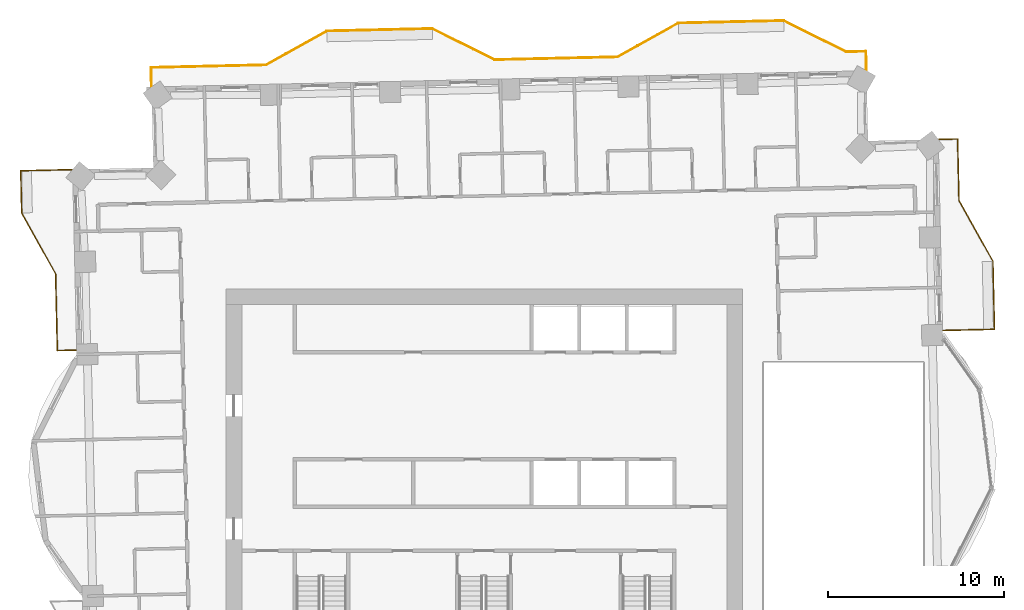
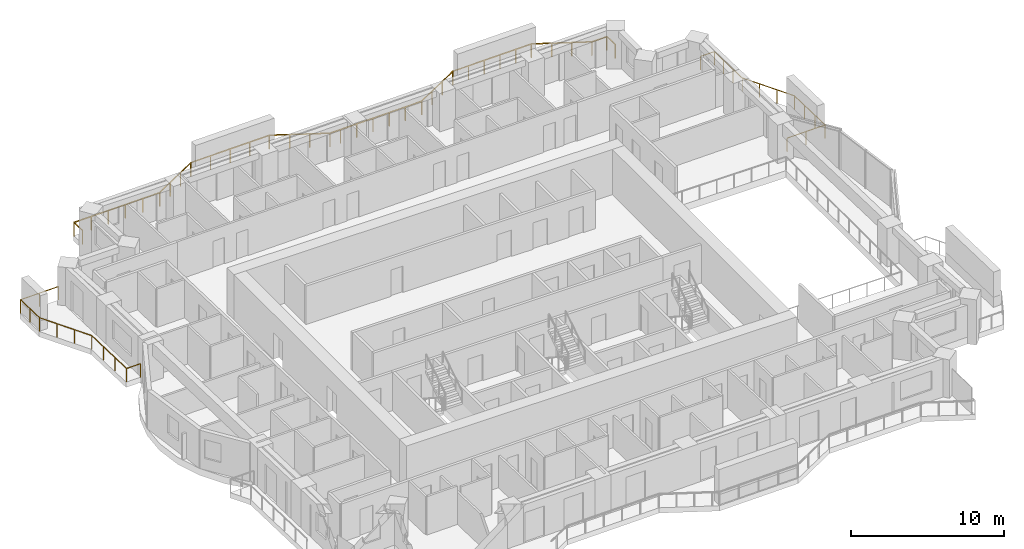
# One storey, part 16 of 16: 3 railings.
"""IFC4 building model written with IfcOpenShell, lengths in metres."""

from ifc_helpers import new_model, si_unit, direction, frame, origin, origin_2d, place, context, subcontext, project, spatial, rectangle, extrude, material, type_object, element, save


model = new_model("IFC4")

# Units and contexts
model_context = context("Model", 3, precision=1e-05, world=origin(), true_north=direction((0.0, 1.0)))
body_context = subcontext(model_context, "Body", "Model", "MODEL_VIEW")
ifc_project = project(units=[si_unit("LENGTHUNIT", "METRE"), si_unit("AREAUNIT", "SQUARE_METRE"), si_unit("VOLUMEUNIT", "CUBIC_METRE"), si_unit("PLANEANGLEUNIT", "RADIAN"), si_unit("MASSUNIT", "GRAM", prefix="KILO")], contexts=[model_context])

# Site, building, storey
site_placement = place(None, origin())
site = spatial("IfcSite", under=ifc_project, at=site_placement, CompositionType="ELEMENT")
building_placement = place(site_placement, origin())
building = spatial("IfcBuilding", under=site, at=building_placement, Name="Mangrove Gate Tower", CompositionType="ELEMENT")
storey_placement = place(building_placement, frame((0.0, 0.0, 189.699951171875)))
storey = spatial("IfcBuildingStorey", under=building, at=storey_placement, Name="L48", CompositionType="ELEMENT", Elevation=189.699951171875)

# Railings
ifc_material = material(Name="Stainless steel grade 316 with laminated glass infill", Category="steel")
railing_type = type_object("IfcRailingType", Name="Balcony guard 1100", PredefinedType="GUARDRAIL", material=ifc_material)
railing_1_placement = place(storey_placement, frame((26.112060546875, 9.333984375, 0.0)))
element("IfcRailing", 1, at=railing_1_placement, inside=storey, type_object=railing_type, Name="GUARD L48 E2", PredefinedType="GUARDRAIL", context=body_context, shape_type="SweptSolid", body=[
    extrude(rectangle(XDim=0.048095703125, YDim=0.048095703125, at=origin_2d()), frame((0.0, 0.0, 1.076171875), z_axis=(0.999750894749, 0.022319239446, 0.0), x_axis=(-0.022319239446, 0.999750894749, 0.0)), (0.0, 0.0, 1.0), 2.90966796875),
    extrude(rectangle(XDim=0.048095703125, YDim=0.048095703125, at=origin_2d()), frame((2.908935546875, 0.06494140625, 1.076171875), z_axis=(-0.022681332769, 0.999742745482, 0.0), x_axis=(-0.999742745482, -0.022681332769, 0.0)), (0.0, 0.0, 1.0), 3.875),
    extrude(rectangle(XDim=0.048095703125, YDim=0.048095703125, at=origin_2d()), frame((2.821044921875, 3.93896484375, 1.076171875), z_axis=(-0.487307108654, 0.873230657876, 0.0), x_axis=(-0.873230657876, -0.487307108654, 0.0)), (0.0, 0.0, 1.0), 3.958984375),
    extrude(rectangle(XDim=0.048095703125, YDim=0.048095703125, at=origin_2d()), frame((0.891845703125, 7.39599609375, 1.076171875), z_axis=(-0.022531258923, 0.999746138963, 0.0), x_axis=(-0.999746138963, -0.022531258923, 0.0)), (0.0, 0.0, 1.0), 3.5),
    extrude(rectangle(XDim=0.048095703125, YDim=0.048095703125, at=origin_2d()), frame((0.81298828125, 10.89501953125, 1.076171875), z_axis=(-0.999745389313, -0.022564497502, 0.0), x_axis=(0.022564497502, -0.999745389313, 0.0)), (0.0, 0.0, 1.0), 1.060302734375),
    extrude(rectangle(XDim=0.0419921875, YDim=0.0419921875, at=origin_2d()), origin(), (0.0, 0.0, 1.0), 1.052001953125),
    extrude(rectangle(XDim=0.0419921875, YDim=0.0419921875, at=origin_2d()), frame((1.45458984375, 0.032470703125, 0.0)), (0.0, 0.0, 1.0), 1.052001953125),
    extrude(rectangle(XDim=0.0419921875, YDim=0.0419921875, at=origin_2d()), frame((2.908935546875, 0.06494140625, 0.0)), (0.0, 0.0, 1.0), 1.052001953125),
    extrude(rectangle(XDim=0.0419921875, YDim=0.0419921875, at=origin_2d()), frame((2.879638671875, 1.356201171875, 0.0)), (0.0, 0.0, 1.0), 1.052001953125),
    extrude(rectangle(XDim=0.0419921875, YDim=0.0419921875, at=origin_2d()), frame((2.850341796875, 2.647705078125, 0.0)), (0.0, 0.0, 1.0), 1.052001953125),
    extrude(rectangle(XDim=0.0419921875, YDim=0.0419921875, at=origin_2d()), frame((2.821044921875, 3.93896484375, 0.0)), (0.0, 0.0, 1.0), 1.052001953125),
    extrude(rectangle(XDim=0.0419921875, YDim=0.0419921875, at=origin_2d()), frame((2.177978515625, 5.09130859375, 0.0)), (0.0, 0.0, 1.0), 1.052001953125),
    extrude(rectangle(XDim=0.0419921875, YDim=0.0419921875, at=origin_2d()), frame((1.534912109375, 6.24365234375, 0.0)), (0.0, 0.0, 1.0), 1.052001953125),
    extrude(rectangle(XDim=0.0419921875, YDim=0.0419921875, at=origin_2d()), frame((0.891845703125, 7.39599609375, 0.0)), (0.0, 0.0, 1.0), 1.052001953125),
    extrude(rectangle(XDim=0.0419921875, YDim=0.0419921875, at=origin_2d()), frame((0.865478515625, 8.562255859375, 0.0)), (0.0, 0.0, 1.0), 1.052001953125),
    extrude(rectangle(XDim=0.0419921875, YDim=0.0419921875, at=origin_2d()), frame((0.83935546875, 9.728759765625, 0.0)), (0.0, 0.0, 1.0), 1.052001953125),
    extrude(rectangle(XDim=0.0419921875, YDim=0.0419921875, at=origin_2d()), frame((0.81298828125, 10.89501953125, 0.0)), (0.0, 0.0, 1.0), 1.052001953125),
    extrude(rectangle(XDim=0.0419921875, YDim=0.0419921875, at=origin_2d()), frame((-0.2470703125, 10.87109375, 0.0)), (0.0, 0.0, 1.0), 1.052001953125),
])
railing_2_placement = place(storey_placement, frame((21.735107421875, 24.153076171875, 0.0)))
element("IfcRailing", 2, at=railing_2_placement, inside=storey, type_object=railing_type, Name="GUARD L48 N1", PredefinedType="GUARDRAIL", context=body_context, shape_type="SweptSolid", body=[
    extrude(rectangle(XDim=0.048095703125, YDim=0.048095703125, at=origin_2d()), frame((0.0, 0.0, 1.076171875), z_axis=(-0.022820894023, 0.999739569486, 0.0), x_axis=(-0.999739569486, -0.022820894023, 0.0)), (0.0, 0.0, 1.0), 1.05908203125),
    extrude(rectangle(XDim=0.048095703125, YDim=0.048095703125, at=origin_2d()), frame((-0.024169921875, 1.058837890625, 1.076171875), z_axis=(-0.999742387968, -0.022697085698, 0.0), x_axis=(0.022697085698, -0.999742387968, 0.0)), (0.0, 0.0, 1.0), 1.14013671875),
    extrude(rectangle(XDim=0.048095703125, YDim=0.048095703125, at=origin_2d()), frame((-1.1640625, 1.032958984375, 1.076171875), z_axis=(-0.894377854182, 0.447312255532, 0.0), x_axis=(-0.447312255532, -0.894377854182, 0.0)), (0.0, 0.0, 1.0), 3.959228515625),
    extrude(rectangle(XDim=0.048095703125, YDim=0.048095703125, at=origin_2d()), frame((-4.705078125, 2.803955078125, 1.076171875), z_axis=(-0.999739477659, -0.022824916448, 0.0), x_axis=(0.022824916448, -0.999739477659, 0.0)), (0.0, 0.0, 1.0), 6.00048828125),
    extrude(rectangle(XDim=0.048095703125, YDim=0.048095703125, at=origin_2d()), frame((-10.7041015625, 2.6669921875, 1.076171875), z_axis=(-0.873361856081, -0.487071933437, 0.0), x_axis=(0.487071933437, -0.873361856081, 0.0)), (0.0, 0.0, 1.0), 3.958251953125),
    extrude(rectangle(XDim=0.048095703125, YDim=0.048095703125, at=origin_2d()), frame((-14.1611328125, 0.739013671875, 1.076171875), z_axis=(-0.999740919865, -0.022761659577, 0.0), x_axis=(0.022761659577, -0.999740919865, 0.0)), (0.0, 0.0, 1.0), 6.19970703125),
    extrude(rectangle(XDim=0.048095703125, YDim=0.048095703125, at=origin_2d()), frame((-20.359130859375, 0.597900390625, 1.076171875), z_axis=(-0.999745132473, -0.022575874215, 0.0), x_axis=(0.022575874215, -0.999745132473, 0.0)), (0.0, 0.0, 1.0), 0.80029296875),
    extrude(rectangle(XDim=0.048095703125, YDim=0.048095703125, at=origin_2d()), frame((-21.1591796875, 0.579833984375, 1.076171875), z_axis=(-0.894476522376, 0.447114919141, 0.0), x_axis=(-0.447114919141, -0.894476522376, 0.0)), (0.0, 0.0, 1.0), 3.958740234375),
    extrude(rectangle(XDim=0.048095703125, YDim=0.048095703125, at=origin_2d()), frame((-24.7001953125, 2.349853515625, 1.076171875), z_axis=(-0.999743073592, -0.022666865795, 0.0), x_axis=(0.022666865795, -0.999743073592, 0.0)), (0.0, 0.0, 1.0), 5.999267578125),
    extrude(rectangle(XDim=0.048095703125, YDim=0.048095703125, at=origin_2d()), frame((-30.697998046875, 2.2138671875, 1.076171875), z_axis=(-0.873315448515, -0.487155136876, 0.0), x_axis=(0.487155136876, -0.873315448515, 0.0)), (0.0, 0.0, 1.0), 3.959716796875),
    extrude(rectangle(XDim=0.048095703125, YDim=0.048095703125, at=origin_2d()), frame((-34.156005859375, 0.284912109375, 1.076171875), z_axis=(-0.999740677876, -0.022772285792, 0.0), x_axis=(0.022772285792, -0.999740677876, 0.0)), (0.0, 0.0, 1.0), 6.539794921875),
    extrude(rectangle(XDim=0.048095703125, YDim=0.048095703125, at=origin_2d()), frame((-40.694091796875, 0.135986328125, 1.076171875), z_axis=(0.022585293253, -0.999744919731, 0.0), x_axis=(0.999744919731, 0.022585293253, 0.0)), (0.0, 0.0, 1.0), 1.059326171875),
    extrude(rectangle(XDim=0.0419921875, YDim=0.0419921875, at=origin_2d()), origin(), (0.0, 0.0, 1.0), 1.052001953125),
    extrude(rectangle(XDim=0.0419921875, YDim=0.0419921875, at=origin_2d()), frame((-0.024169921875, 1.058837890625, 0.0)), (0.0, 0.0, 1.0), 1.052001953125),
    extrude(rectangle(XDim=0.0419921875, YDim=0.0419921875, at=origin_2d()), frame((-1.1640625, 1.032958984375, 0.0)), (0.0, 0.0, 1.0), 1.052001953125),
    extrude(rectangle(XDim=0.0419921875, YDim=0.0419921875, at=origin_2d()), frame((-2.344482421875, 1.623291015625, 0.0)), (0.0, 0.0, 1.0), 1.052001953125),
    extrude(rectangle(XDim=0.0419921875, YDim=0.0419921875, at=origin_2d()), frame((-3.524658203125, 2.213623046875, 0.0)), (0.0, 0.0, 1.0), 1.052001953125),
    extrude(rectangle(XDim=0.0419921875, YDim=0.0419921875, at=origin_2d()), frame((-4.705078125, 2.803955078125, 0.0)), (0.0, 0.0, 1.0), 1.052001953125),
    extrude(rectangle(XDim=0.0419921875, YDim=0.0419921875, at=origin_2d()), frame((-5.90478515625, 2.776611328125, 0.0)), (0.0, 0.0, 1.0), 1.052001953125),
    extrude(rectangle(XDim=0.0419921875, YDim=0.0419921875, at=origin_2d()), frame((-7.104736328125, 2.749267578125, 0.0)), (0.0, 0.0, 1.0), 1.052001953125),
    extrude(rectangle(XDim=0.0419921875, YDim=0.0419921875, at=origin_2d()), frame((-8.304443359375, 2.7216796875, 0.0)), (0.0, 0.0, 1.0), 1.052001953125),
    extrude(rectangle(XDim=0.0419921875, YDim=0.0419921875, at=origin_2d()), frame((-9.50439453125, 2.6943359375, 0.0)), (0.0, 0.0, 1.0), 1.052001953125),
    extrude(rectangle(XDim=0.0419921875, YDim=0.0419921875, at=origin_2d()), frame((-10.7041015625, 2.6669921875, 0.0)), (0.0, 0.0, 1.0), 1.052001953125),
    extrude(rectangle(XDim=0.0419921875, YDim=0.0419921875, at=origin_2d()), frame((-11.8564453125, 2.0244140625, 0.0)), (0.0, 0.0, 1.0), 1.052001953125),
    extrude(rectangle(XDim=0.0419921875, YDim=0.0419921875, at=origin_2d()), frame((-13.0087890625, 1.381591796875, 0.0)), (0.0, 0.0, 1.0), 1.052001953125),
    extrude(rectangle(XDim=0.0419921875, YDim=0.0419921875, at=origin_2d()), frame((-14.1611328125, 0.739013671875, 0.0)), (0.0, 0.0, 1.0), 1.052001953125),
    extrude(rectangle(XDim=0.0419921875, YDim=0.0419921875, at=origin_2d()), frame((-15.400634765625, 0.710693359375, 0.0)), (0.0, 0.0, 1.0), 1.052001953125),
    extrude(rectangle(XDim=0.0419921875, YDim=0.0419921875, at=origin_2d()), frame((-16.640380859375, 0.6826171875, 0.0)), (0.0, 0.0, 1.0), 1.052001953125),
    extrude(rectangle(XDim=0.0419921875, YDim=0.0419921875, at=origin_2d()), frame((-17.8798828125, 0.654296875, 0.0)), (0.0, 0.0, 1.0), 1.052001953125),
    extrude(rectangle(XDim=0.0419921875, YDim=0.0419921875, at=origin_2d()), frame((-19.11962890625, 0.626220703125, 0.0)), (0.0, 0.0, 1.0), 1.052001953125),
    extrude(rectangle(XDim=0.0419921875, YDim=0.0419921875, at=origin_2d()), frame((-20.359130859375, 0.597900390625, 0.0)), (0.0, 0.0, 1.0), 1.052001953125),
    extrude(rectangle(XDim=0.0419921875, YDim=0.0419921875, at=origin_2d()), frame((-21.1591796875, 0.579833984375, 0.0)), (0.0, 0.0, 1.0), 1.052001953125),
    extrude(rectangle(XDim=0.0419921875, YDim=0.0419921875, at=origin_2d()), frame((-22.339599609375, 1.169921875, 0.0)), (0.0, 0.0, 1.0), 1.052001953125),
    extrude(rectangle(XDim=0.0419921875, YDim=0.0419921875, at=origin_2d()), frame((-23.519775390625, 1.759765625, 0.0)), (0.0, 0.0, 1.0), 1.052001953125),
    extrude(rectangle(XDim=0.0419921875, YDim=0.0419921875, at=origin_2d()), frame((-24.7001953125, 2.349853515625, 0.0)), (0.0, 0.0, 1.0), 1.052001953125),
    extrude(rectangle(XDim=0.0419921875, YDim=0.0419921875, at=origin_2d()), frame((-26.19970703125, 2.31591796875, 0.0)), (0.0, 0.0, 1.0), 1.052001953125),
    extrude(rectangle(XDim=0.0419921875, YDim=0.0419921875, at=origin_2d()), frame((-27.69921875, 2.28173828125, 0.0)), (0.0, 0.0, 1.0), 1.052001953125),
    extrude(rectangle(XDim=0.0419921875, YDim=0.0419921875, at=origin_2d()), frame((-29.198486328125, 2.247802734375, 0.0)), (0.0, 0.0, 1.0), 1.052001953125),
    extrude(rectangle(XDim=0.0419921875, YDim=0.0419921875, at=origin_2d()), frame((-30.697998046875, 2.2138671875, 0.0)), (0.0, 0.0, 1.0), 1.052001953125),
    extrude(rectangle(XDim=0.0419921875, YDim=0.0419921875, at=origin_2d()), frame((-31.8505859375, 1.57080078125, 0.0)), (0.0, 0.0, 1.0), 1.052001953125),
    extrude(rectangle(XDim=0.0419921875, YDim=0.0419921875, at=origin_2d()), frame((-33.00341796875, 0.927978515625, 0.0)), (0.0, 0.0, 1.0), 1.052001953125),
    extrude(rectangle(XDim=0.0419921875, YDim=0.0419921875, at=origin_2d()), frame((-34.156005859375, 0.284912109375, 0.0)), (0.0, 0.0, 1.0), 1.052001953125),
    extrude(rectangle(XDim=0.0419921875, YDim=0.0419921875, at=origin_2d()), frame((-35.463623046875, 0.255126953125, 0.0)), (0.0, 0.0, 1.0), 1.052001953125),
    extrude(rectangle(XDim=0.0419921875, YDim=0.0419921875, at=origin_2d()), frame((-36.771240234375, 0.225341796875, 0.0)), (0.0, 0.0, 1.0), 1.052001953125),
    extrude(rectangle(XDim=0.0419921875, YDim=0.0419921875, at=origin_2d()), frame((-38.078857421875, 0.195556640625, 0.0)), (0.0, 0.0, 1.0), 1.052001953125),
    extrude(rectangle(XDim=0.0419921875, YDim=0.0419921875, at=origin_2d()), frame((-39.386474609375, 0.165771484375, 0.0)), (0.0, 0.0, 1.0), 1.052001953125),
    extrude(rectangle(XDim=0.0419921875, YDim=0.0419921875, at=origin_2d()), frame((-40.694091796875, 0.135986328125, 0.0)), (0.0, 0.0, 1.0), 1.052001953125),
    extrude(rectangle(XDim=0.0419921875, YDim=0.0419921875, at=origin_2d()), frame((-40.670166015625, -0.923095703125, 0.0)), (0.0, 0.0, 1.0), 1.052001953125),
])
railing_3_placement = place(storey_placement, frame((-23.468017578125, 18.486083984375, 0.0)))
element("IfcRailing", 3, at=railing_3_placement, inside=storey, type_object=railing_type, Name="GUARD L48 W1", PredefinedType="GUARDRAIL", context=body_context, shape_type="SweptSolid", body=[
    extrude(rectangle(XDim=0.048095703125, YDim=0.048095703125, at=origin_2d()), frame((0.0, 0.0, 1.076171875), z_axis=(-0.999741618984, -0.02273093202, 0.0), x_axis=(0.02273093202, -0.999741618984, 0.0)), (0.0, 0.0, 1.0), 2.91064453125),
    extrude(rectangle(XDim=0.048095703125, YDim=0.048095703125, at=origin_2d()), frame((-2.909912109375, -0.066162109375, 1.076171875), z_axis=(0.022883121373, -0.999738147095, 0.0), x_axis=(0.999738147095, 0.022883121373, 0.0)), (0.0, 0.0, 1.0), 2.400634765625),
    extrude(rectangle(XDim=0.048095703125, YDim=0.048095703125, at=origin_2d()), frame((-2.85498046875, -2.466064453125, 1.076171875), z_axis=(0.48726008209, -0.87325689943, 0.0), x_axis=(0.87325689943, 0.48726008209, 0.0)), (0.0, 0.0, 1.0), 3.958740234375),
    extrude(rectangle(XDim=0.048095703125, YDim=0.048095703125, at=origin_2d()), frame((-0.926025390625, -5.923095703125, 1.076171875), z_axis=(0.022660548572, -0.9997432168, 0.0), x_axis=(0.9997432168, 0.022660548572, 0.0)), (0.0, 0.0, 1.0), 4.374267578125),
    extrude(rectangle(XDim=0.048095703125, YDim=0.048095703125, at=origin_2d()), frame((-0.826904296875, -10.296142578125, 1.076171875), z_axis=(0.999765634628, 0.021648921828, 0.0), x_axis=(-0.021648921828, 0.999765634628, 0.0)), (0.0, 0.0, 1.0), 1.06005859375),
    extrude(rectangle(XDim=0.0419921875, YDim=0.0419921875, at=origin_2d()), origin(), (0.0, 0.0, 1.0), 1.052001953125),
    extrude(rectangle(XDim=0.0419921875, YDim=0.0419921875, at=origin_2d()), frame((-1.455078125, -0.033203125, 0.0)), (0.0, 0.0, 1.0), 1.052001953125),
    extrude(rectangle(XDim=0.0419921875, YDim=0.0419921875, at=origin_2d()), frame((-2.909912109375, -0.066162109375, 0.0)), (0.0, 0.0, 1.0), 1.052001953125),
    extrude(rectangle(XDim=0.0419921875, YDim=0.0419921875, at=origin_2d()), frame((-2.88232421875, -1.26611328125, 0.0)), (0.0, 0.0, 1.0), 1.052001953125),
    extrude(rectangle(XDim=0.0419921875, YDim=0.0419921875, at=origin_2d()), frame((-2.85498046875, -2.466064453125, 0.0)), (0.0, 0.0, 1.0), 1.052001953125),
    extrude(rectangle(XDim=0.0419921875, YDim=0.0419921875, at=origin_2d()), frame((-2.2119140625, -3.618408203125, 0.0)), (0.0, 0.0, 1.0), 1.052001953125),
    extrude(rectangle(XDim=0.0419921875, YDim=0.0419921875, at=origin_2d()), frame((-1.569091796875, -4.770751953125, 0.0)), (0.0, 0.0, 1.0), 1.052001953125),
    extrude(rectangle(XDim=0.0419921875, YDim=0.0419921875, at=origin_2d()), frame((-0.926025390625, -5.923095703125, 0.0)), (0.0, 0.0, 1.0), 1.052001953125),
    extrude(rectangle(XDim=0.0419921875, YDim=0.0419921875, at=origin_2d()), frame((-0.89306640625, -7.380859375, 0.0)), (0.0, 0.0, 1.0), 1.052001953125),
    extrude(rectangle(XDim=0.0419921875, YDim=0.0419921875, at=origin_2d()), frame((-0.85986328125, -8.83837890625, 0.0)), (0.0, 0.0, 1.0), 1.052001953125),
    extrude(rectangle(XDim=0.0419921875, YDim=0.0419921875, at=origin_2d()), frame((-0.826904296875, -10.296142578125, 0.0)), (0.0, 0.0, 1.0), 1.052001953125),
    extrude(rectangle(XDim=0.0419921875, YDim=0.0419921875, at=origin_2d()), frame((0.23291015625, -10.273193359375, 0.0)), (0.0, 0.0, 1.0), 1.052001953125),
])

save(model, "model.ifc")
